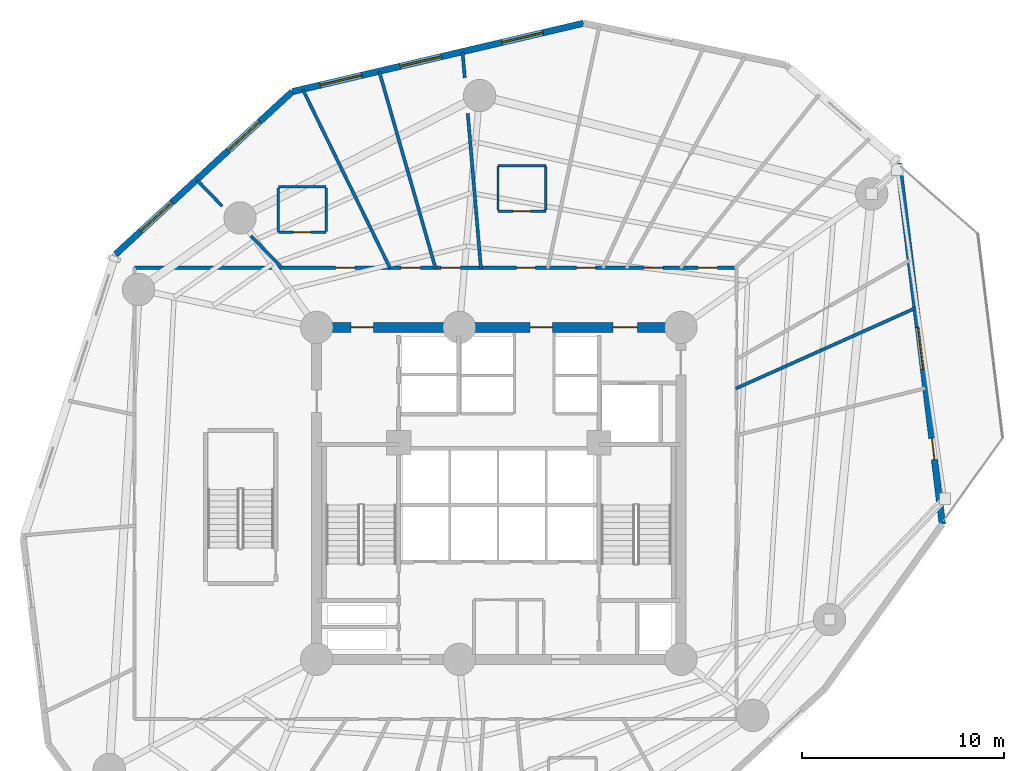
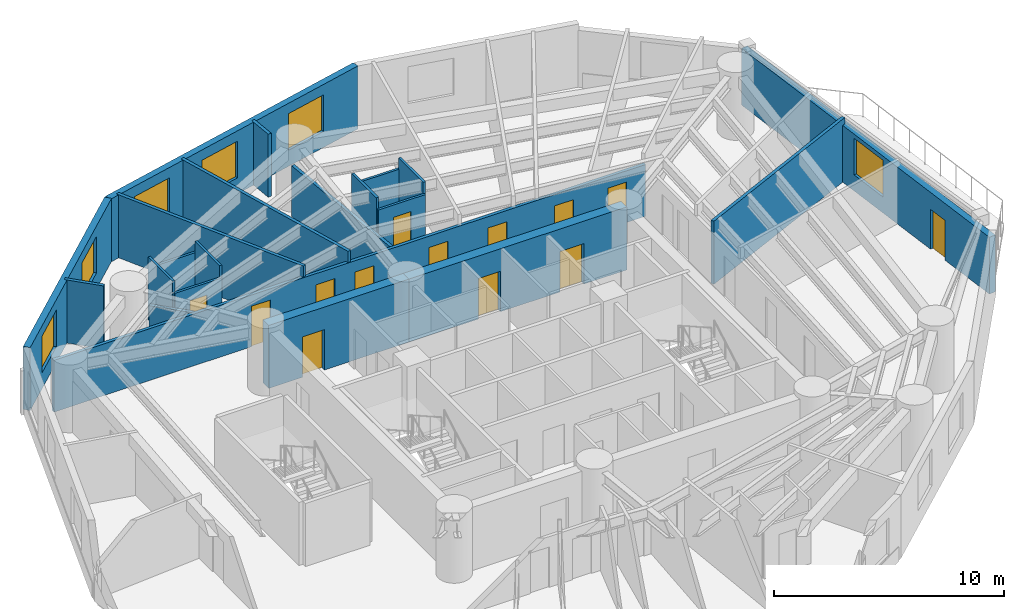
# One storey, part 6 of 10: 21 walls, 13 doors, 6 windows, 19 openings.
"""IFC4 building model written with IfcOpenShell, lengths in metres."""

import ifcopenshell
import ifcopenshell.guid

model = None  # the IFC model being written
_history = None  # IfcOwnerHistory: only IFC2X3 demands one
_inside = {}  # id of a spatial element -> (the spatial element, [elements in it])
_under = {}  # id of a project, library or spatial element -> (it, [spatial elements below it])
_declared = {}  # id of a project -> (the project, [libraries it declares])
_typed = {}  # id of a type object -> (the type object, [elements of that type])
_made_of = {}  # id of a material, layer set ... -> (it, [elements and type objects made of it])


def new_model(schema):
    """Start an empty IFC model of exactly this schema.

    Asked for "IFC4X3", IfcOpenShell would pick the latest addendum, in which some entities
    have other attributes; the version numbers below select the first issue.
    IFC2X3 requires an IfcOwnerHistory on every rooted entity: one is made here for all.
    """
    global model, _history
    if schema == "IFC4X3":
        model = ifcopenshell.file(schema_version=(4, 3, 0, 0))
    else:
        model = ifcopenshell.file(schema=schema)
    _inside.clear()
    _under.clear()
    _declared.clear()
    _typed.clear()
    _made_of.clear()
    _history = None
    if model.schema == "IFC2X3":
        org = make("IfcOrganization", Name="unknown")
        user = make(
            "IfcPersonAndOrganization",
            ThePerson=make("IfcPerson", FamilyName="unknown"),
            TheOrganization=org,
        )
        app = make(
            "IfcApplication",
            ApplicationDeveloper=org,
            Version="unknown",
            ApplicationFullName="unknown",
            ApplicationIdentifier="unknown",
        )
        _history = make(
            "IfcOwnerHistory",
            OwningUser=user,
            OwningApplication=app,
            ChangeAction="ADDED",
            CreationDate=0,
        )
    return model


def make(cls, **values):
    """One entity of the class cls with the attributes given. An attribute that is None is left unset."""
    return model.create_entity(
        cls, **{name: value for name, value in values.items() if value is not None}
    )


def rooted(cls, **values):
    """An entity with a GlobalId (a new one), such as an element, a storey or a relation."""
    return make(cls, GlobalId=ifcopenshell.guid.new(), OwnerHistory=_history, **values)


def si_unit(unit_type, name, prefix=None):
    """IfcSIUnit, for example si_unit("LENGTHUNIT", "METRE", prefix="MILLI")."""
    return make("IfcSIUnit", UnitType=unit_type, Prefix=prefix, Name=name)


def assignment(units):
    """IfcUnitAssignment: the units of a project."""
    return None if units is None else make("IfcUnitAssignment", Units=units)


def point(xyz):
    """IfcCartesianPoint."""
    return None if xyz is None else make("IfcCartesianPoint", Coordinates=xyz)


def direction(xyz):
    """IfcDirection."""
    return None if xyz is None else make("IfcDirection", DirectionRatios=xyz)


def frame(location, z_axis=None, x_axis=None):
    """IfcAxis2Placement3D, a coordinate frame: its origin and axes. An axis left out is left unset."""
    return make(
        "IfcAxis2Placement3D",
        Location=point(location),
        Axis=direction(z_axis),
        RefDirection=direction(x_axis),
    )


def frame_2d(location, x_axis=None):
    """IfcAxis2Placement2D, a coordinate frame in the plane: its origin and x axis."""
    return make(
        "IfcAxis2Placement2D", Location=point(location), RefDirection=direction(x_axis)
    )


def origin():
    """The frame at (0, 0, 0) with its axes left unset."""
    return frame((0.0, 0.0, 0.0))


def origin_with_axes():
    """The frame at (0, 0, 0) with the z axis (0, 0, 1) and the x axis (1, 0, 0) written out."""
    return frame((0.0, 0.0, 0.0), z_axis=(0.0, 0.0, 1.0), x_axis=(1.0, 0.0, 0.0))


def place(relative_to, where):
    """IfcLocalPlacement: puts the frame where relative to a parent placement (None: the world)."""
    return make(
        "IfcLocalPlacement", PlacementRelTo=relative_to, RelativePlacement=where
    )


def context(
    kind, dimensions, precision=None, world=None, true_north=None, identifier=None
):
    """IfcGeometricRepresentationContext, for example the 3D "Model" context."""
    return make(
        "IfcGeometricRepresentationContext",
        ContextIdentifier=identifier,
        ContextType=kind,
        CoordinateSpaceDimension=dimensions,
        Precision=precision,
        WorldCoordinateSystem=world,
        TrueNorth=true_north,
    )


def subcontext(parent, identifier, kind, view, scale=None):
    """IfcGeometricRepresentationSubContext, for example "Body" below "Model"."""
    return make(
        "IfcGeometricRepresentationSubContext",
        ContextIdentifier=identifier,
        ContextType=kind,
        ParentContext=parent,
        TargetScale=scale,
        TargetView=view,
    )


def project(units=None, contexts=None):
    """IfcProject with its units and contexts."""
    return rooted(
        "IfcProject",
        Name="project",
        RepresentationContexts=contexts,
        UnitsInContext=assignment(units),
    )


def spatial(cls, under=None, at=None, **own):
    """A site, building, storey or space (cls), placed at a placement, below another one or the project."""
    s = rooted(cls, ObjectPlacement=at, **own)
    if under is not None:
        _under.setdefault(under.id(), (under, []))[1].append(s)
    return s


def profile(cls, at=None, kind="AREA", **sizes):
    """A parametric profile (cls). Its sizes go by their IFC names, for example OverallWidth=200.0."""
    return make(cls, ProfileType=kind, Position=at, **sizes)


def rectangle(**sizes):
    """IfcRectangleProfileDef."""
    return profile("IfcRectangleProfileDef", **sizes)


def extrude(swept, where, along, depth):
    """IfcExtrudedAreaSolid: the profile swept, set in the frame where, extruded along a direction by depth."""
    return make(
        "IfcExtrudedAreaSolid",
        SweptArea=swept,
        Position=where,
        ExtrudedDirection=direction(along),
        Depth=depth,
    )


def shape(context_of_items, identifier, shape_type, items):
    """IfcShapeRepresentation: the items that make up one representation, for example the "Body"."""
    return make(
        "IfcShapeRepresentation",
        ContextOfItems=context_of_items,
        RepresentationIdentifier=identifier,
        RepresentationType=shape_type,
        Items=items,
    )


def source(mapping_origin, context_of_items, identifier, shape_type, items):
    """IfcRepresentationMap: a shape defined once, which mapped items show again and again."""
    return make(
        "IfcRepresentationMap",
        MappingOrigin=mapping_origin,
        MappedRepresentation=shape(context_of_items, identifier, shape_type, items),
    )


def transform(
    local_origin,
    x_axis=None,
    y_axis=None,
    z_axis=None,
    scale=None,
    scale2=None,
    scale3=None,
    uniform=True,
):
    """IfcCartesianTransformationOperator3D, or its non-uniform kind. x_axis, y_axis, z_axis: its Axis1, 2, 3."""
    if uniform:
        return make(
            "IfcCartesianTransformationOperator3D",
            Axis1=direction(x_axis),
            Axis2=direction(y_axis),
            LocalOrigin=point(local_origin),
            Scale=scale,
            Axis3=direction(z_axis),
        )
    return make(
        "IfcCartesianTransformationOperator3DnonUniform",
        Axis1=direction(x_axis),
        Axis2=direction(y_axis),
        LocalOrigin=point(local_origin),
        Scale=scale,
        Axis3=direction(z_axis),
        Scale2=scale2,
        Scale3=scale3,
    )


def mapped(mapping_source, mapping_target):
    """IfcMappedItem: shows the shape of a source again, moved by a transform."""
    return make(
        "IfcMappedItem", MappingSource=mapping_source, MappingTarget=mapping_target
    )


def material(Name=None, Category=None):
    """IfcMaterial."""
    return make("IfcMaterial", Name=Name, Category=Category)


def layer(
    of_material, thickness, ventilated=None, Name=None, Category=None, Priority=None
):
    """IfcMaterialLayer: one layer of a wall or slab, of a material (None: an air gap)."""
    return make(
        "IfcMaterialLayer",
        Material=of_material,
        LayerThickness=thickness,
        IsVentilated=ventilated,
        Name=Name,
        Category=Category,
        Priority=Priority,
    )


def layer_set(layers, Name=None):
    """IfcMaterialLayerSet."""
    return make("IfcMaterialLayerSet", MaterialLayers=layers, LayerSetName=Name)


def made_of(thing, what):
    """Note that an element or type object is made of a material, layer set ...; save() writes the relation."""
    if what is not None:
        _made_of.setdefault(what.id(), (what, []))[1].append(thing)
    return thing


def type_object(cls, material=None, **own):
    """A type object (cls), such as IfcWallType, which elements share."""
    return made_of(rooted(cls, **own), material)


def element(
    cls,
    number,
    at=None,
    inside=None,
    cuts=None,
    type_object=None,
    material=None,
    context=None,
    identifier="Body",
    shape_type=None,
    held_by="IfcProductDefinitionShape",
    body=None,
    shapes=None,
    **own,
):
    """One element of the class cls, such as IfcWall. Its Tag is "e" and its number.

    at: its placement. inside: the storey or other place that contains it. cuts: it is an
    opening in that element (IfcRelVoidsElement). A single representation is given by context,
    identifier, shape_type and body (its items); several are given by shapes. held_by: the class
    of the entity that holds the representations. save() writes the other relations.
    """
    e = rooted(cls, Tag="e%d" % number, ObjectPlacement=at, **own)
    if body is not None:
        shapes = [shape(context, identifier, shape_type, body)]
    if shapes is not None:
        e.Representation = make(held_by, Representations=shapes)
    if inside is not None:
        _inside.setdefault(inside.id(), (inside, []))[1].append(e)
    if cuts is not None:
        rooted(
            "IfcRelVoidsElement", RelatingBuildingElement=cuts, RelatedOpeningElement=e
        )
    if type_object is not None:
        _typed.setdefault(type_object.id(), (type_object, []))[1].append(e)
    return made_of(e, material)


def fill(opening, filler):
    """IfcRelFillsElement: the door or window that sits in an opening."""
    return rooted(
        "IfcRelFillsElement",
        RelatingOpeningElement=opening,
        RelatedBuildingElement=filler,
    )


def aggregate(whole, parts):
    """IfcRelAggregates: a whole, such as a stair, and the parts it consists of."""
    return rooted("IfcRelAggregates", RelatingObject=whole, RelatedObjects=parts)


def save(model, path):
    """Write the relations noted so far, then the file.

    IfcRelAggregates (storeys below a building ...), IfcRelContainedInSpatialStructure (elements
    in a storey), IfcRelDefinesByType, IfcRelAssociatesMaterial and IfcRelDeclares: one each for
    every whole, place, type object, material and project.
    """
    for whole, parts in _under.values():
        aggregate(whole, parts)
    for where, things in _inside.values():
        rooted(
            "IfcRelContainedInSpatialStructure",
            RelatedElements=things,
            RelatingStructure=where,
        )
    for kind, things in _typed.values():
        rooted("IfcRelDefinesByType", RelatedObjects=things, RelatingType=kind)
    for what, things in _made_of.values():
        rooted("IfcRelAssociatesMaterial", RelatedObjects=things, RelatingMaterial=what)
    for by, libraries in _declared.values():
        rooted("IfcRelDeclares", RelatingContext=by, RelatedDefinitions=libraries)
    model.write(path)


model = new_model("IFC4")

# Units and contexts
model_context = context("Model", 3, precision=1e-05, world=origin(), true_north=direction((0.0, 1.0)))
body_context = subcontext(model_context, "Body", "Model", "MODEL_VIEW")
ifc_project = project(units=[si_unit("LENGTHUNIT", "METRE"), si_unit("AREAUNIT", "SQUARE_METRE"), si_unit("VOLUMEUNIT", "CUBIC_METRE"), si_unit("PLANEANGLEUNIT", "RADIAN"), si_unit("MASSUNIT", "GRAM", prefix="KILO")], contexts=[model_context])

# Site, building, storey
site_placement = place(None, origin())
site = spatial("IfcSite", under=ifc_project, at=site_placement, CompositionType="ELEMENT")
building_placement = place(site_placement, origin())
building = spatial("IfcBuilding", under=site, at=building_placement, Name="Karkom Vertical University and Central Library", CompositionType="ELEMENT")
storey_placement = place(building_placement, frame((0.0, 0.0, 66.10009765625)))
storey = spatial("IfcBuildingStorey", under=building, at=storey_placement, Name="L17", CompositionType="ELEMENT", Elevation=66.10009765625)

# Wall, openings, door, window
ifc_material_1 = material(Name="Brick-faced precast concrete C45/55", Category="masonry")
ifc_layer_1 = layer(ifc_material_1, 0.320068359375)
ifc_layer_set_1 = layer_set([ifc_layer_1], Name="Brick-faced precast concrete C45/55")
wall_type_1 = type_object("IfcWallType", Name="ENV-WL-BRK-320", PredefinedType="SOLIDWALL", material=ifc_layer_set_1)
wall_1_placement = place(storey_placement, frame((50.41455078125, 24.97900390625, 0.0), z_axis=(0.0, 0.0, 1.0), x_axis=(-0.120844129627, 0.992671494672, 0.0)))
wall_1 = element("IfcWall", 1, at=wall_1_placement, inside=storey, type_object=wall_type_1, Name="Level 17 Brick-Faced Precast Facade Wall 08", PredefinedType="SOLIDWALL", context=body_context, shape_type="SweptSolid", body=[
    extrude(rectangle(XDim=17.972412109375, YDim=0.320068359375, at=frame_2d((8.986328125, 0.0))), origin(), (0.0, 0.0, 1.0), 3.02001953125),
])
opening_1_placement = place(wall_1_placement, frame((7.70654296875, 0.0, 0.85009765625)))
opening_1 = element("IfcOpeningElement", 2, at=opening_1_placement, cuts=wall_1, Name="Opening WN-03", PredefinedType="OPENING", context=body_context, shape_type="SweptSolid", body=[
    extrude(rectangle(XDim=2.10009765625, YDim=1.949951171875, at=frame_2d((1.050048828125, 0.97509765625))), frame((0.0, 0.169921875, 0.0), z_axis=(0.0, -1.0, 0.0), x_axis=(1.0, 0.0, 0.0)), (0.0, 0.0, 1.0), 0.340087890625),
])
opening_2_placement = place(wall_1_placement, frame((3.21923828125, 0.0, 0.0)))
opening_2 = element("IfcOpeningElement", 3, at=opening_2_placement, cuts=wall_1, Name="Opening TD-1", PredefinedType="OPENING", context=body_context, shape_type="SweptSolid", body=[
    extrude(rectangle(XDim=1.050048828125, YDim=2.1201171875, at=frame_2d((0.52490234375, 1.06005859375))), frame((0.0, 0.169921875, 0.0), z_axis=(0.0, -1.0, 0.0), x_axis=(1.0, 0.0, 0.0)), (0.0, 0.0, 1.0), 0.340087890625),
])
ifc_material_2 = material(Name="Thermally broken glazed aluminium terrace door", Category="aluminium")
door_type_1 = type_object("IfcDoorType", Name="ENV-DR-TERR", OperationType="NOTDEFINED", PredefinedType="DOOR", material=ifc_material_2)
shared_shape_1 = source(origin_with_axes(), body_context, "Body", "SweptSolid", [
    extrude(rectangle(XDim=1.050048828125, YDim=2.1201171875, at=frame_2d((0.52490234375, 1.06005859375))), frame((0.0, 0.02490234375, 0.0), z_axis=(0.0, -1.0, 0.0), x_axis=(1.0, 0.0, 0.0)), (0.0, 0.0, 1.0), 0.050048828125),
])
door_1_placement = place(opening_2_placement, origin())
door_1 = element("IfcDoor", 4, at=door_1_placement, inside=storey, type_object=door_type_1, Name="Level 17 Outdoor Terrace Access Door", OperationType="SINGLE_SWING_RIGHT", OverallHeight=2.1201171875, OverallWidth=1.050048828125, PredefinedType="DOOR", context=body_context, shape_type="MappedRepresentation", body=[
    mapped(shared_shape_1, transform((0.0, 0.0, 0.0), scale=1.0)),
])
fill(opening_2, door_1)
ifc_material_3 = material(Name="Aluminium thermal-break frame with solar-control IGU", Category="aluminium")
window_type = type_object("IfcWindowType", Name="ENV-WIN-WN-03", PartitioningType="SINGLE_PANEL", PredefinedType="WINDOW", material=ifc_material_3)
shared_shape_2 = source(origin_with_axes(), body_context, "Body", "SweptSolid", [
    extrude(rectangle(XDim=2.10009765625, YDim=1.949951171875, at=frame_2d((1.050048828125, 0.97509765625))), frame((0.0, 0.030029296875, 0.0), z_axis=(0.0, -1.0, 0.0), x_axis=(1.0, 0.0, 0.0)), (0.0, 0.0, 1.0), 0.06005859375),
])
window_1_placement = place(opening_1_placement, origin())
window_1 = element("IfcWindow", 5, at=window_1_placement, inside=storey, type_object=window_type, Name="Level 17 Punched Window 8.2", OverallHeight=1.949951171875, OverallWidth=2.10009765625, PartitioningType="SINGLE_PANEL", PredefinedType="WINDOW", context=body_context, shape_type="MappedRepresentation", body=[
    mapped(shared_shape_2, transform((0.0, 0.0, 0.0), scale=1.0)),
])
fill(opening_1, window_1)

# Wall, openings, windows
wall_2_placement = place(storey_placement, frame((32.69140625, 49.731201171875, 0.0), z_axis=(0.0, 0.0, 1.0), x_axis=(-0.973494178879, -0.228711791759, 0.0)))
wall_2 = element("IfcWall", 6, at=wall_2_placement, inside=storey, type_object=wall_type_1, Name="Level 17 Brick-Faced Precast Facade Wall 11", PredefinedType="SOLIDWALL", context=body_context, shape_type="SweptSolid", body=[
    extrude(rectangle(XDim=14.790771484375, YDim=0.320068359375, at=frame_2d((7.3955078125, 0.0))), origin(), (0.0, 0.0, 1.0), 3.349853515625),
])
opening_3_placement = place(wall_2_placement, frame((2.05712890625, 0.0, 0.85009765625)))
opening_3 = element("IfcOpeningElement", 7, at=opening_3_placement, cuts=wall_2, Name="Opening WN-03", PredefinedType="OPENING", context=body_context, shape_type="SweptSolid", body=[
    extrude(rectangle(XDim=2.10009765625, YDim=1.949951171875, at=frame_2d((1.050048828125, 0.97509765625))), frame((0.0, 0.169921875, 0.0), z_axis=(0.0, -1.0, 0.0), x_axis=(1.0, 0.0, 0.0)), (0.0, 0.0, 1.0), 0.340087890625),
])
opening_4_placement = place(wall_2_placement, frame((7.215087890625, 0.0, 0.85009765625)))
opening_4 = element("IfcOpeningElement", 8, at=opening_4_placement, cuts=wall_2, Name="Opening WN-03", PredefinedType="OPENING", context=body_context, shape_type="SweptSolid", body=[
    extrude(rectangle(XDim=2.10009765625, YDim=1.949951171875, at=frame_2d((1.050048828125, 0.97509765625))), frame((0.0, 0.169921875, 0.0), z_axis=(0.0, -1.0, 0.0), x_axis=(1.0, 0.0, 0.0)), (0.0, 0.0, 1.0), 0.340087890625),
])
opening_5_placement = place(wall_2_placement, frame((11.260498046875, 0.0, 0.85009765625)))
opening_5 = element("IfcOpeningElement", 9, at=opening_5_placement, cuts=wall_2, Name="Opening WN-03", PredefinedType="OPENING", context=body_context, shape_type="SweptSolid", body=[
    extrude(rectangle(XDim=2.10009765625, YDim=1.949951171875, at=frame_2d((1.050048828125, 0.97509765625))), frame((0.0, 0.169921875, 0.0), z_axis=(0.0, -1.0, 0.0), x_axis=(1.0, 0.0, 0.0)), (0.0, 0.0, 1.0), 0.340087890625),
])
window_2_placement = place(opening_3_placement, origin())
window_2 = element("IfcWindow", 10, at=window_2_placement, inside=storey, type_object=window_type, Name="Level 17 Punched Window 11.1", OverallHeight=1.949951171875, OverallWidth=2.10009765625, PartitioningType="SINGLE_PANEL", PredefinedType="WINDOW", context=body_context, shape_type="MappedRepresentation", body=[
    mapped(shared_shape_2, transform((0.0, 0.0, 0.0), scale=1.0)),
])
fill(opening_3, window_2)
window_3_placement = place(opening_4_placement, origin())
window_3 = element("IfcWindow", 11, at=window_3_placement, inside=storey, type_object=window_type, Name="Level 17 Punched Window 11.2", OverallHeight=1.949951171875, OverallWidth=2.10009765625, PartitioningType="SINGLE_PANEL", PredefinedType="WINDOW", context=body_context, shape_type="MappedRepresentation", body=[
    mapped(shared_shape_2, transform((0.0, 0.0, 0.0), scale=1.0)),
])
fill(opening_4, window_3)
window_4_placement = place(opening_5_placement, origin())
window_4 = element("IfcWindow", 12, at=window_4_placement, inside=storey, type_object=window_type, Name="Level 17 Punched Window 11.3", OverallHeight=1.949951171875, OverallWidth=2.10009765625, PartitioningType="SINGLE_PANEL", PredefinedType="WINDOW", context=body_context, shape_type="MappedRepresentation", body=[
    mapped(shared_shape_2, transform((0.0, 0.0, 0.0), scale=1.0)),
])
fill(opening_5, window_4)

wall_3_placement = place(storey_placement, frame((18.292724609375, 46.348388671875, 0.0), z_axis=(0.0, 0.0, 1.0), x_axis=(-0.735624378621, -0.677389676316, 0.0)))
wall_3 = element("IfcWall", 13, at=wall_3_placement, inside=storey, type_object=wall_type_1, Name="Level 17 Brick-Faced Precast Facade Wall 12", PredefinedType="SOLIDWALL", context=body_context, shape_type="SweptSolid", body=[
    extrude(rectangle(XDim=11.872802734375, YDim=0.320068359375, at=frame_2d((5.9365234375, 0.0))), origin(), (0.0, 0.0, 1.0), 3.349853515625),
])
opening_6_placement = place(wall_3_placement, frame((2.1904296875, 0.0, 0.85009765625)))
opening_6 = element("IfcOpeningElement", 14, at=opening_6_placement, cuts=wall_3, Name="Opening WN-03", PredefinedType="OPENING", context=body_context, shape_type="SweptSolid", body=[
    extrude(rectangle(XDim=2.10009765625, YDim=1.949951171875, at=frame_2d((1.050048828125, 0.97509765625))), frame((0.0, 0.169921875, 0.0), z_axis=(0.0, -1.0, 0.0), x_axis=(1.0, 0.0, 0.0)), (0.0, 0.0, 1.0), 0.340087890625),
])
opening_7_placement = place(wall_3_placement, frame((8.06689453125, 0.0, 0.85009765625)))
opening_7 = element("IfcOpeningElement", 15, at=opening_7_placement, cuts=wall_3, Name="Opening WN-03", PredefinedType="OPENING", context=body_context, shape_type="SweptSolid", body=[
    extrude(rectangle(XDim=2.10009765625, YDim=1.949951171875, at=frame_2d((1.050048828125, 0.97509765625))), frame((0.0, 0.169921875, 0.0), z_axis=(0.0, -1.0, 0.0), x_axis=(1.0, 0.0, 0.0)), (0.0, 0.0, 1.0), 0.340087890625),
])
window_5_placement = place(opening_6_placement, origin())
window_5 = element("IfcWindow", 16, at=window_5_placement, inside=storey, type_object=window_type, Name="Level 17 Punched Window 12.1", OverallHeight=1.949951171875, OverallWidth=2.10009765625, PartitioningType="SINGLE_PANEL", PredefinedType="WINDOW", context=body_context, shape_type="MappedRepresentation", body=[
    mapped(shared_shape_2, transform((0.0, 0.0, 0.0), scale=1.0)),
])
fill(opening_6, window_5)
window_6_placement = place(opening_7_placement, origin())
window_6 = element("IfcWindow", 17, at=window_6_placement, inside=storey, type_object=window_type, Name="Level 17 Punched Window 12.2", OverallHeight=1.949951171875, OverallWidth=2.10009765625, PartitioningType="SINGLE_PANEL", PredefinedType="WINDOW", context=body_context, shape_type="MappedRepresentation", body=[
    mapped(shared_shape_2, transform((0.0, 0.0, 0.0), scale=1.0)),
])
fill(opening_7, window_6)

# Wall, openings, doors
ifc_material_4 = material(Name="Insulated metal-stud drywall 160mm", Category="gypsum")
ifc_layer_2 = layer(ifc_material_4, 0.159912109375)
ifc_layer_set_2 = layer_set([ifc_layer_2], Name="Insulated metal-stud drywall 160mm")
wall_type_2 = type_object("IfcWallType", Name="INT-WL-COR-160", PredefinedType="PARTITIONING", material=ifc_layer_set_2)
wall_4_placement = place(storey_placement, frame((10.5, 37.64990234375, 0.0), z_axis=(0.0, 0.0, 1.0), x_axis=(1.0, 0.0, 0.0)))
wall_4 = element("IfcWall", 18, at=wall_4_placement, inside=storey, type_object=wall_type_2, Name="Level 17 Interior Partition Wall L17-CORW-CW-003", PredefinedType="PARTITIONING", context=body_context, shape_type="SweptSolid", body=[
    extrude(rectangle(XDim=29.75, YDim=0.159912109375, at=frame_2d((14.875, 0.0))), origin(), (0.0, 0.0, 1.0), 2.75),
])
opening_8_placement = place(wall_4_placement, frame((27.85009765625, 0.0, 0.0)))
opening_8 = element("IfcOpeningElement", 19, at=opening_8_placement, cuts=wall_4, Name="Opening D-RM1", PredefinedType="OPENING", context=body_context, shape_type="SweptSolid", body=[
    extrude(rectangle(XDim=0.949951171875, YDim=2.14990234375, at=frame_2d((0.47509765625, 1.074951171875))), frame((0.0, 0.08984375, 0.0), z_axis=(0.0, -1.0, 0.0), x_axis=(1.0, 0.0, 0.0)), (0.0, 0.0, 1.0), 0.179931640625),
])
opening_9_placement = place(wall_4_placement, frame((25.15869140625, 0.0, 0.0)))
opening_9 = element("IfcOpeningElement", 20, at=opening_9_placement, cuts=wall_4, Name="Opening FD-RM2", PredefinedType="OPENING", context=body_context, shape_type="SweptSolid", body=[
    extrude(rectangle(XDim=0.9599609375, YDim=2.14990234375, at=frame_2d((0.47998046875, 1.074951171875))), frame((0.0, 0.08984375, 0.0), z_axis=(0.0, -1.0, 0.0), x_axis=(1.0, 0.0, 0.0)), (0.0, 0.0, 1.0), 0.179931640625),
])
opening_10_placement = place(wall_4_placement, frame((21.83740234375, 0.0, 0.0)))
opening_10 = element("IfcOpeningElement", 21, at=opening_10_placement, cuts=wall_4, Name="Opening D-RM1", PredefinedType="OPENING", context=body_context, shape_type="SweptSolid", body=[
    extrude(rectangle(XDim=0.949951171875, YDim=2.14990234375, at=frame_2d((0.47509765625, 1.074951171875))), frame((0.0, 0.08984375, 0.0), z_axis=(0.0, -1.0, 0.0), x_axis=(1.0, 0.0, 0.0)), (0.0, 0.0, 1.0), 0.179931640625),
])
opening_11_placement = place(wall_4_placement, frame((18.862548828125, 0.0, 0.0)))
opening_11 = element("IfcOpeningElement", 22, at=opening_11_placement, cuts=wall_4, Name="Opening D-RM1", PredefinedType="OPENING", context=body_context, shape_type="SweptSolid", body=[
    extrude(rectangle(XDim=0.949951171875, YDim=2.14990234375, at=frame_2d((0.47509765625, 1.074951171875))), frame((0.0, 0.08984375, 0.0), z_axis=(0.0, -1.0, 0.0), x_axis=(1.0, 0.0, 0.0)), (0.0, 0.0, 1.0), 0.179931640625),
])
opening_12_placement = place(wall_4_placement, frame((15.139892578125, 0.0, 0.0)))
opening_12 = element("IfcOpeningElement", 23, at=opening_12_placement, cuts=wall_4, Name="Opening FD-RM2", PredefinedType="OPENING", context=body_context, shape_type="SweptSolid", body=[
    extrude(rectangle(XDim=0.9599609375, YDim=2.14990234375, at=frame_2d((0.47998046875, 1.074951171875))), frame((0.0, 0.08984375, 0.0), z_axis=(0.0, -1.0, 0.0), x_axis=(1.0, 0.0, 0.0)), (0.0, 0.0, 1.0), 0.179931640625),
])
opening_13_placement = place(wall_4_placement, frame((13.175537109375, 0.0, 0.0)))
opening_13 = element("IfcOpeningElement", 24, at=opening_13_placement, cuts=wall_4, Name="Opening D-RM1", PredefinedType="OPENING", context=body_context, shape_type="SweptSolid", body=[
    extrude(rectangle(XDim=0.949951171875, YDim=2.14990234375, at=frame_2d((0.47509765625, 1.074951171875))), frame((0.0, 0.08984375, 0.0), z_axis=(0.0, -1.0, 0.0), x_axis=(1.0, 0.0, 0.0)), (0.0, 0.0, 1.0), 0.179931640625),
])
opening_14_placement = place(wall_4_placement, frame((9.9375, 0.0, 0.0)))
opening_14 = element("IfcOpeningElement", 25, at=opening_14_placement, cuts=wall_4, Name="Opening D-RM1", PredefinedType="OPENING", context=body_context, shape_type="SweptSolid", body=[
    extrude(rectangle(XDim=0.949951171875, YDim=2.14990234375, at=frame_2d((0.47509765625, 1.074951171875))), frame((0.0, 0.08984375, 0.0), z_axis=(0.0, -1.0, 0.0), x_axis=(1.0, 0.0, 0.0)), (0.0, 0.0, 1.0), 0.179931640625),
])
ifc_material_5 = material(Name="Fire-rated oak veneer door", Category="wood")
door_type_2 = type_object("IfcDoorType", Name="INT-DR-FRM2", OperationType="NOTDEFINED", PredefinedType="DOOR", material=ifc_material_5)
shared_shape_3 = source(origin_with_axes(), body_context, "Body", "SweptSolid", [
    extrude(rectangle(XDim=0.9599609375, YDim=2.14990234375, at=frame_2d((0.47998046875, 1.074951171875))), frame((0.0, 0.02490234375, 0.0), z_axis=(0.0, -1.0, 0.0), x_axis=(1.0, 0.0, 0.0)), (0.0, 0.0, 1.0), 0.050048828125),
])
door_2_placement = place(opening_9_placement, origin())
door_2 = element("IfcDoor", 26, at=door_2_placement, inside=storey, type_object=door_type_2, Name="Level 17 Room Entry Door 160", OperationType="SINGLE_SWING_RIGHT", OverallHeight=2.14990234375, OverallWidth=0.9599609375, PredefinedType="DOOR", context=body_context, shape_type="MappedRepresentation", body=[
    mapped(shared_shape_3, transform((0.0, 0.0, 0.0), scale=1.0)),
])
fill(opening_9, door_2)
door_3_placement = place(opening_12_placement, origin())
door_3 = element("IfcDoor", 27, at=door_3_placement, inside=storey, type_object=door_type_2, Name="Level 17 Room Entry Door 200", OperationType="SINGLE_SWING_LEFT", OverallHeight=2.14990234375, OverallWidth=0.9599609375, PredefinedType="DOOR", context=body_context, shape_type="MappedRepresentation", body=[
    mapped(shared_shape_3, transform((0.0, 0.0, 0.0), scale=1.0)),
])
fill(opening_12, door_3)
ifc_material_6 = material(Name="Solid-core oak veneer door", Category="wood")
door_type_3 = type_object("IfcDoorType", Name="INT-DR-RM1", OperationType="NOTDEFINED", PredefinedType="DOOR", material=ifc_material_6)
shared_shape_4 = source(origin_with_axes(), body_context, "Body", "SweptSolid", [
    extrude(rectangle(XDim=0.949951171875, YDim=2.14990234375, at=frame_2d((0.47509765625, 1.074951171875))), frame((0.0, 0.02490234375, 0.0), z_axis=(0.0, -1.0, 0.0), x_axis=(1.0, 0.0, 0.0)), (0.0, 0.0, 1.0), 0.050048828125),
])
door_4_placement = place(opening_8_placement, origin())
door_4 = element("IfcDoor", 28, at=door_4_placement, inside=storey, type_object=door_type_3, Name="Level 17 Room Entry Door 150", OperationType="SINGLE_SWING_LEFT", OverallHeight=2.14990234375, OverallWidth=0.949951171875, PredefinedType="DOOR", context=body_context, shape_type="MappedRepresentation", body=[
    mapped(shared_shape_4, transform((0.0, 0.0, 0.0), scale=1.0)),
])
fill(opening_8, door_4)
door_5_placement = place(opening_10_placement, origin())
door_5 = element("IfcDoor", 29, at=door_5_placement, inside=storey, type_object=door_type_3, Name="Level 17 Room Entry Door 180", OperationType="SINGLE_SWING_LEFT", OverallHeight=2.14990234375, OverallWidth=0.949951171875, PredefinedType="DOOR", context=body_context, shape_type="MappedRepresentation", body=[
    mapped(shared_shape_4, transform((0.0, 0.0, 0.0), scale=1.0)),
])
fill(opening_10, door_5)
door_6_placement = place(opening_11_placement, origin())
door_6 = element("IfcDoor", 30, at=door_6_placement, inside=storey, type_object=door_type_3, Name="Level 17 Room Entry Door 190", OperationType="SINGLE_SWING_RIGHT", OverallHeight=2.14990234375, OverallWidth=0.949951171875, PredefinedType="DOOR", context=body_context, shape_type="MappedRepresentation", body=[
    mapped(shared_shape_4, transform((0.0, 0.0, 0.0), scale=1.0)),
])
fill(opening_11, door_6)
door_7_placement = place(opening_13_placement, origin())
door_7 = element("IfcDoor", 31, at=door_7_placement, inside=storey, type_object=door_type_3, Name="Level 17 Room Entry Door 210", OperationType="SINGLE_SWING_RIGHT", OverallHeight=2.14990234375, OverallWidth=0.949951171875, PredefinedType="DOOR", context=body_context, shape_type="MappedRepresentation", body=[
    mapped(shared_shape_4, transform((0.0, 0.0, 0.0), scale=1.0)),
])
fill(opening_13, door_7)
door_8_placement = place(opening_14_placement, origin())
door_8 = element("IfcDoor", 32, at=door_8_placement, inside=storey, type_object=door_type_3, Name="Level 17 Room Entry Door 220", OperationType="SINGLE_SWING_LEFT", OverallHeight=2.14990234375, OverallWidth=0.949951171875, PredefinedType="DOOR", context=body_context, shape_type="MappedRepresentation", body=[
    mapped(shared_shape_4, transform((0.0, 0.0, 0.0), scale=1.0)),
])
fill(opening_14, door_8)

# Walls
wall_5_placement = place(storey_placement, frame((25.380615234375, 37.606689453125, 0.0), z_axis=(0.0, 0.0, 1.0), x_axis=(-0.275371208418, 0.961337972606, 0.0)))
element("IfcWall", 33, at=wall_5_placement, inside=storey, type_object=wall_type_2, Name="Level 17 Interior Partition Wall L17-PW-025", PredefinedType="PARTITIONING", context=body_context, shape_type="SweptSolid", body=[
    extrude(rectangle(XDim=10.11767578125, YDim=0.159912109375, at=frame_2d((5.058837890625, 0.0))), origin(), (0.0, 0.0, 1.0), 3.349853515625),
])
wall_6_placement = place(storey_placement, frame((23.1328125, 37.623046875, 0.0), z_axis=(0.0, 0.0, 1.0), x_axis=(-0.438969753353, 0.898501839531, 0.0)))
element("IfcWall", 34, at=wall_6_placement, inside=storey, type_object=wall_type_2, Name="Level 17 Interior Partition Wall L17-PW-026", PredefinedType="PARTITIONING", context=body_context, shape_type="SweptSolid", body=[
    extrude(rectangle(XDim=9.819091796875, YDim=0.159912109375, at=frame_2d((4.90966796875, 0.0))), origin(), (0.0, 0.0, 1.0), 3.349853515625),
])
wall_7_placement = place(storey_placement, frame((40.208984375, 31.6787109375, 0.0), z_axis=(0.0, 0.0, 1.0), x_axis=(0.912627841784, 0.408791416741, 0.0)))
element("IfcWall", 35, at=wall_7_placement, inside=storey, type_object=wall_type_2, Name="Level 17 Interior Partition Wall L17-PW-016", PredefinedType="PARTITIONING", context=body_context, shape_type="SweptSolid", body=[
    extrude(rectangle(XDim=9.7275390625, YDim=0.159912109375, at=frame_2d((4.86376953125, 0.0))), origin(), (0.0, 0.0, 1.0), 3.349853515625),
])
wall_8_placement = place(storey_placement, frame((27.618408203125, 37.605224609375, 0.0), z_axis=(0.0, 0.0, 1.0), x_axis=(-0.084549280714, 0.996419298855, 0.0)))
element("IfcWall", 36, at=wall_8_placement, inside=storey, type_object=wall_type_2, Name="Level 17 Interior Partition Wall L17-PW-023", PredefinedType="PARTITIONING", context=body_context, shape_type="SweptSolid", body=[
    extrude(rectangle(XDim=7.6982421875, YDim=0.159912109375, at=frame_2d((3.84912109375, 0.0))), origin(), (0.0, 0.0, 1.0), 2.699951171875),
])
wall_9_placement = place(storey_placement, frame((17.801513671875, 37.62841796875, 0.0), z_axis=(0.0, 0.0, 1.0), x_axis=(-0.695823523946, 0.718212798218, 0.0)))
element("IfcWall", 37, at=wall_9_placement, inside=storey, type_object=wall_type_2, Name="Level 17 Interior Partition Wall L17-PW-027", PredefinedType="PARTITIONING", context=body_context, shape_type="SweptSolid", body=[
    extrude(rectangle(XDim=2.224609375, YDim=0.159912109375, at=frame_2d((1.1123046875, 0.0))), origin(), (0.0, 0.0, 1.0), 2.699951171875),
])
wall_10_placement = place(storey_placement, frame((14.833984375, 40.69140625, 0.0), z_axis=(0.0, 0.0, 1.0), x_axis=(-0.695858838833, 0.718178582539, 0.0)))
element("IfcWall", 38, at=wall_10_placement, inside=storey, type_object=wall_type_2, Name="Level 17 Interior Partition Wall L17-PW-028", PredefinedType="PARTITIONING", context=body_context, shape_type="SweptSolid", body=[
    extrude(rectangle(XDim=1.7939453125, YDim=0.159912109375, at=frame_2d((0.89697265625, 0.0))), origin(), (0.0, 0.0, 1.0), 3.349853515625),
])
wall_11_placement = place(storey_placement, frame((26.818359375, 47.035888671875, 0.0), z_axis=(0.0, 0.0, 1.0), x_axis=(-0.084494899991, 0.996423911734, 0.0)))
element("IfcWall", 39, at=wall_11_placement, inside=storey, type_object=wall_type_2, Name="Level 17 Interior Partition Wall L17-PW-024", PredefinedType="PARTITIONING", context=body_context, shape_type="SweptSolid", body=[
    extrude(rectangle(XDim=1.2685546875, YDim=0.159912109375, at=frame_2d((0.63427734375, 0.0))), origin(), (0.0, 0.0, 1.0), 3.349853515625),
])

# Wall, opening, door
ifc_material_7 = material(Name="Moisture-resistant drywall 120mm", Category="gypsum")
ifc_layer_3 = layer(ifc_material_7, 0.1201171875)
ifc_layer_set_3 = layer_set([ifc_layer_3], Name="Moisture-resistant drywall 120mm")
wall_type_3 = type_object("IfcWallType", Name="INT-WL-INT-120F", PredefinedType="PARTITIONING", material=ifc_layer_set_3)
wall_12_placement = place(storey_placement, frame((28.4599609375, 40.448974609375, 0.0), z_axis=(0.0, 0.0, 1.0), x_axis=(1.0, 0.0, 0.0)))
wall_12 = element("IfcWall", 40, at=wall_12_placement, inside=storey, type_object=wall_type_3, Name="Level 17 Interior Partition Wall L17-ENS-89-S", PredefinedType="PARTITIONING", context=body_context, shape_type="SweptSolid", body=[
    extrude(rectangle(XDim=2.360107421875, YDim=0.1201171875, at=frame_2d((1.18017578125, 0.0))), origin(), (0.0, 0.0, 1.0), 2.75),
])
opening_15_placement = place(wall_12_placement, frame((0.75, 0.0, 0.0)))
opening_15 = element("IfcOpeningElement", 41, at=opening_15_placement, cuts=wall_12, Name="Opening D-BATH", PredefinedType="OPENING", context=body_context, shape_type="SweptSolid", body=[
    extrude(rectangle(XDim=0.860107421875, YDim=2.10009765625, at=frame_2d((0.43017578125, 1.050048828125))), frame((0.0, 0.070068359375, 0.0), z_axis=(0.0, -1.0, 0.0), x_axis=(1.0, 0.0, 0.0)), (0.0, 0.0, 1.0), 0.14013671875),
])
ifc_material_8 = material(Name="Moisture-resistant oak door", Category="wood")
door_type_4 = type_object("IfcDoorType", Name="INT-DR-BATH", OperationType="NOTDEFINED", PredefinedType="DOOR", material=ifc_material_8)
shared_shape_5 = source(origin_with_axes(), body_context, "Body", "SweptSolid", [
    extrude(rectangle(XDim=0.860107421875, YDim=2.10009765625, at=frame_2d((0.43017578125, 1.050048828125))), frame((0.0, 0.02490234375, 0.0), z_axis=(0.0, -1.0, 0.0), x_axis=(1.0, 0.0, 0.0)), (0.0, 0.0, 1.0), 0.050048828125),
])
door_9_placement = place(opening_15_placement, origin())
door_9 = element("IfcDoor", 42, at=door_9_placement, inside=storey, type_object=door_type_4, Name="Level 17 En-Suite Bathroom Door 89", OperationType="SINGLE_SWING_RIGHT", OverallHeight=2.10009765625, OverallWidth=0.860107421875, PredefinedType="DOOR", context=body_context, shape_type="MappedRepresentation", body=[
    mapped(shared_shape_5, transform((0.0, 0.0, 0.0), scale=1.0)),
])
fill(opening_15, door_9)

# Wall
wall_13_placement = place(storey_placement, frame((30.820068359375, 42.68896484375, 0.0), z_axis=(0.0, 0.0, 1.0), x_axis=(-1.0, 0.0, 0.0)))
element("IfcWall", 43, at=wall_13_placement, inside=storey, type_object=wall_type_3, Name="Level 17 Interior Partition Wall L17-ENS-89-N", PredefinedType="PARTITIONING", context=body_context, shape_type="SweptSolid", body=[
    extrude(rectangle(XDim=2.360107421875, YDim=0.1201171875, at=frame_2d((1.18017578125, 0.0))), origin(), (0.0, 0.0, 1.0), 2.75),
])

# Wall, opening, door
wall_14_placement = place(storey_placement, frame((17.613037109375, 39.39892578125, 0.0), z_axis=(0.0, 0.0, 1.0), x_axis=(1.0, 0.0, 0.0)))
wall_14 = element("IfcWall", 44, at=wall_14_placement, inside=storey, type_object=wall_type_3, Name="Level 17 Interior Partition Wall L17-ENS-92-S", PredefinedType="PARTITIONING", context=body_context, shape_type="SweptSolid", body=[
    extrude(rectangle(XDim=2.35986328125, YDim=0.1201171875, at=frame_2d((1.179931640625, 0.0))), origin(), (0.0, 0.0, 1.0), 2.75),
])
opening_16_placement = place(wall_14_placement, frame((0.75, 0.0, 0.0)))
opening_16 = element("IfcOpeningElement", 45, at=opening_16_placement, cuts=wall_14, Name="Opening D-BATH", PredefinedType="OPENING", context=body_context, shape_type="SweptSolid", body=[
    extrude(rectangle(XDim=0.860107421875, YDim=2.10009765625, at=frame_2d((0.43017578125, 1.050048828125))), frame((0.0, 0.070068359375, 0.0), z_axis=(0.0, -1.0, 0.0), x_axis=(1.0, 0.0, 0.0)), (0.0, 0.0, 1.0), 0.14013671875),
])
door_10_placement = place(opening_16_placement, origin())
door_10 = element("IfcDoor", 46, at=door_10_placement, inside=storey, type_object=door_type_4, Name="Level 17 En-Suite Bathroom Door 92", OperationType="SINGLE_SWING_LEFT", OverallHeight=2.10009765625, OverallWidth=0.860107421875, PredefinedType="DOOR", context=body_context, shape_type="MappedRepresentation", body=[
    mapped(shared_shape_5, transform((0.0, 0.0, 0.0), scale=1.0)),
])
fill(opening_16, door_10)

# Walls
wall_15_placement = place(storey_placement, frame((19.972900390625, 41.638916015625, 0.0), z_axis=(0.0, 0.0, 1.0), x_axis=(-1.0, 0.0, 0.0)))
element("IfcWall", 47, at=wall_15_placement, inside=storey, type_object=wall_type_3, Name="Level 17 Interior Partition Wall L17-ENS-92-N", PredefinedType="PARTITIONING", context=body_context, shape_type="SweptSolid", body=[
    extrude(rectangle(XDim=2.35986328125, YDim=0.1201171875, at=frame_2d((1.179931640625, 0.0))), origin(), (0.0, 0.0, 1.0), 2.75),
])
for number, where, z_axis, x_axis, name in (
    (48, (30.820068359375, 40.4990234375, 0.0), (0.0, 0.0, 1.0), (0.0, 1.0, 0.0), "Level 17 Interior Partition Wall L17-ENS-89-E"),
    (49, (28.4599609375, 42.638916015625, 0.0), (0.0, 0.0, 1.0), (0.0, -1.0, 0.0), "Level 17 Interior Partition Wall L17-ENS-89-W"),
):
    element("IfcWall", number, at=place(storey_placement, frame(where, z_axis=z_axis, x_axis=x_axis)), inside=storey, type_object=wall_type_3, Name=name, PredefinedType="PARTITIONING", context=body_context, shape_type="SweptSolid", body=[
        extrude(rectangle(XDim=2.139892578125, YDim=0.1201171875, at=frame_2d((1.06982421875, 0.0))), origin(), (0.0, 0.0, 1.0), 3.349853515625),
    ])
for number, where, z_axis, x_axis, name in (
    (50, (19.972900390625, 39.448974609375, 0.0), (0.0, 0.0, 1.0), (0.0, 1.0, 0.0), "Level 17 Interior Partition Wall L17-ENS-92-E"),
    (51, (17.613037109375, 41.589111328125, 0.0), (0.0, 0.0, 1.0), (0.0, -1.0, 0.0), "Level 17 Interior Partition Wall L17-ENS-92-W"),
):
    element("IfcWall", number, at=place(storey_placement, frame(where, z_axis=z_axis, x_axis=x_axis)), inside=storey, type_object=wall_type_3, Name=name, PredefinedType="PARTITIONING", context=body_context, shape_type="SweptSolid", body=[
        extrude(rectangle(XDim=2.14013671875, YDim=0.1201171875, at=frame_2d((1.070068359375, 0.0))), origin(), (0.0, 0.0, 1.0), 3.349853515625),
    ])

# Wall, openings, doors
ifc_material_9 = material(Name="Concrete C50/60", Category="concrete")
ifc_layer_4 = layer(ifc_material_9, 0.5)
ifc_layer_set_4 = layer_set([ifc_layer_4], Name="Concrete C50/60")
wall_type_4 = type_object("IfcWallType", Name="STR-WL-CW-500", PredefinedType="SHEAR", material=ifc_layer_set_4)
wall_16_placement = place(storey_placement, frame((37.5, 34.699951171875, 0.0), z_axis=(0.0, 0.0, 1.0), x_axis=(-1.0, 0.0, 0.0)))
wall_16 = element("IfcWall", 52, at=wall_16_placement, inside=storey, type_object=wall_type_4, Name="Level 17 Central Core Shear Wall NW1", PredefinedType="SHEAR", context=body_context, shape_type="SweptSolid", body=[
    extrude(rectangle(XDim=10.949951171875, YDim=0.5, at=frame_2d((5.47509765625, 0.0))), origin(), (0.0, 0.0, 1.0), 3.349853515625),
])
opening_17_placement = place(wall_16_placement, frame((2.14990234375, 0.0, 0.0)))
opening_17 = element("IfcOpeningElement", 53, at=opening_17_placement, cuts=wall_16, Name="Opening FD-SUB1", PredefinedType="OPENING", context=body_context, shape_type="SweptSolid", body=[
    extrude(rectangle(XDim=1.199951171875, YDim=2.14990234375, at=frame_2d((0.60009765625, 1.074951171875))), frame((0.0, 0.260009765625, 0.0), z_axis=(0.0, -1.0, 0.0), x_axis=(1.0, 0.0, 0.0)), (0.0, 0.0, 1.0), 0.52001953125),
])
opening_18_placement = place(wall_16_placement, frame((6.35009765625, 0.0, 0.0)))
opening_18 = element("IfcOpeningElement", 54, at=opening_18_placement, cuts=wall_16, Name="Opening FD-FFL", PredefinedType="OPENING", context=body_context, shape_type="SweptSolid", body=[
    extrude(rectangle(XDim=1.10009765625, YDim=2.14990234375, at=frame_2d((0.550048828125, 1.074951171875))), frame((0.0, 0.260009765625, 0.0), z_axis=(0.0, -1.0, 0.0), x_axis=(1.0, 0.0, 0.0)), (0.0, 0.0, 1.0), 0.52001953125),
])
ifc_material_10 = material(Name="Painted steel smoke-seal fire door", Category="steel")
door_type_5 = type_object("IfcDoorType", Name="INT-DR-FFL", OperationType="NOTDEFINED", PredefinedType="DOOR", material=ifc_material_10)
shared_shape_6 = source(origin_with_axes(), body_context, "Body", "SweptSolid", [
    extrude(rectangle(XDim=1.10009765625, YDim=2.14990234375, at=frame_2d((0.550048828125, 1.074951171875))), frame((0.0, 0.02490234375, 0.0), z_axis=(0.0, -1.0, 0.0), x_axis=(1.0, 0.0, 0.0)), (0.0, 0.0, 1.0), 0.050048828125),
])
door_11_placement = place(opening_18_placement, origin())
door_11 = element("IfcDoor", 55, at=door_11_placement, inside=storey, type_object=door_type_5, Name="Level 17 North Core Lobby Exit Door", OperationType="SINGLE_SWING_LEFT", OverallHeight=2.14990234375, OverallWidth=1.10009765625, PredefinedType="DOOR", context=body_context, shape_type="MappedRepresentation", body=[
    mapped(shared_shape_6, transform((0.0, 0.0, 0.0), scale=1.0)),
])
fill(opening_18, door_11)
ifc_material_11 = material(Name="Painted steel fire door", Category="steel")
door_type_6 = type_object("IfcDoorType", Name="INT-DR-SUB1", OperationType="NOTDEFINED", PredefinedType="DOOR", material=ifc_material_11)
shared_shape_7 = source(origin_with_axes(), body_context, "Body", "SweptSolid", [
    extrude(rectangle(XDim=1.199951171875, YDim=2.14990234375, at=frame_2d((0.60009765625, 1.074951171875))), frame((0.0, 0.02490234375, 0.0), z_axis=(0.0, -1.0, 0.0), x_axis=(1.0, 0.0, 0.0)), (0.0, 0.0, 1.0), 0.050048828125),
])
door_12_placement = place(opening_17_placement, origin())
door_12 = element("IfcDoor", 56, at=door_12_placement, inside=storey, type_object=door_type_6, Name="Level 17 Service Lobby Fire Door", OperationType="SINGLE_SWING_LEFT", OverallHeight=2.14990234375, OverallWidth=1.199951171875, PredefinedType="DOOR", context=body_context, shape_type="MappedRepresentation", body=[
    mapped(shared_shape_7, transform((0.0, 0.0, 0.0), scale=1.0)),
])
fill(opening_17, door_12)

# Wall, opening, door
wall_17_placement = place(storey_placement, frame((26.550048828125, 34.699951171875, 0.0), z_axis=(0.0, 0.0, 1.0), x_axis=(-1.0, 0.0, 0.0)))
wall_17 = element("IfcWall", 57, at=wall_17_placement, inside=storey, type_object=wall_type_4, Name="Level 17 Central Core Shear Wall NW2", PredefinedType="SHEAR", context=body_context, shape_type="SweptSolid", body=[
    extrude(rectangle(XDim=7.050048828125, YDim=0.5, at=frame_2d((3.52490234375, 0.0))), origin(), (0.0, 0.0, 1.0), 3.349853515625),
])
opening_19_placement = place(wall_17_placement, frame((4.25, 0.0, 0.0)))
opening_19 = element("IfcOpeningElement", 58, at=opening_19_placement, cuts=wall_17, Name="Opening FD-FFL", PredefinedType="OPENING", context=body_context, shape_type="SweptSolid", body=[
    extrude(rectangle(XDim=1.10009765625, YDim=2.14990234375, at=frame_2d((0.550048828125, 1.074951171875))), frame((0.0, 0.260009765625, 0.0), z_axis=(0.0, -1.0, 0.0), x_axis=(1.0, 0.0, 0.0)), (0.0, 0.0, 1.0), 0.52001953125),
])
door_13_placement = place(opening_19_placement, origin())
door_13 = element("IfcDoor", 59, at=door_13_placement, inside=storey, type_object=door_type_5, Name="Level 17 Firefighting Lobby Door", OperationType="SINGLE_SWING_RIGHT", OverallHeight=2.14990234375, OverallWidth=1.10009765625, PredefinedType="DOOR", context=body_context, shape_type="MappedRepresentation", body=[
    mapped(shared_shape_6, transform((0.0, 0.0, 0.0), scale=1.0)),
])
fill(opening_19, door_13)

save(model, "model.ifc")
